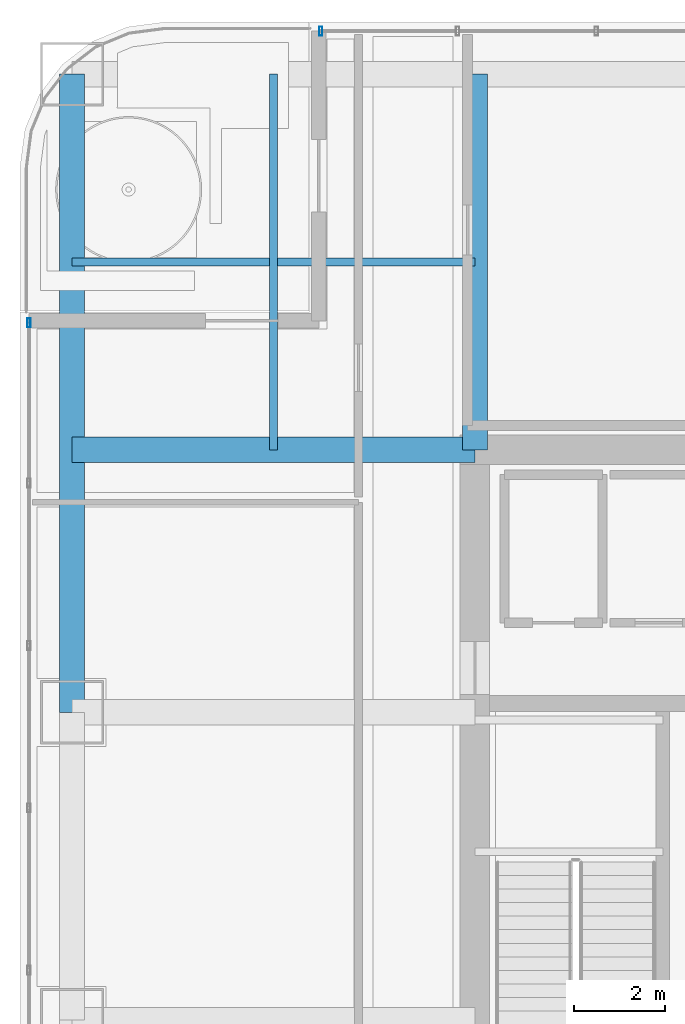
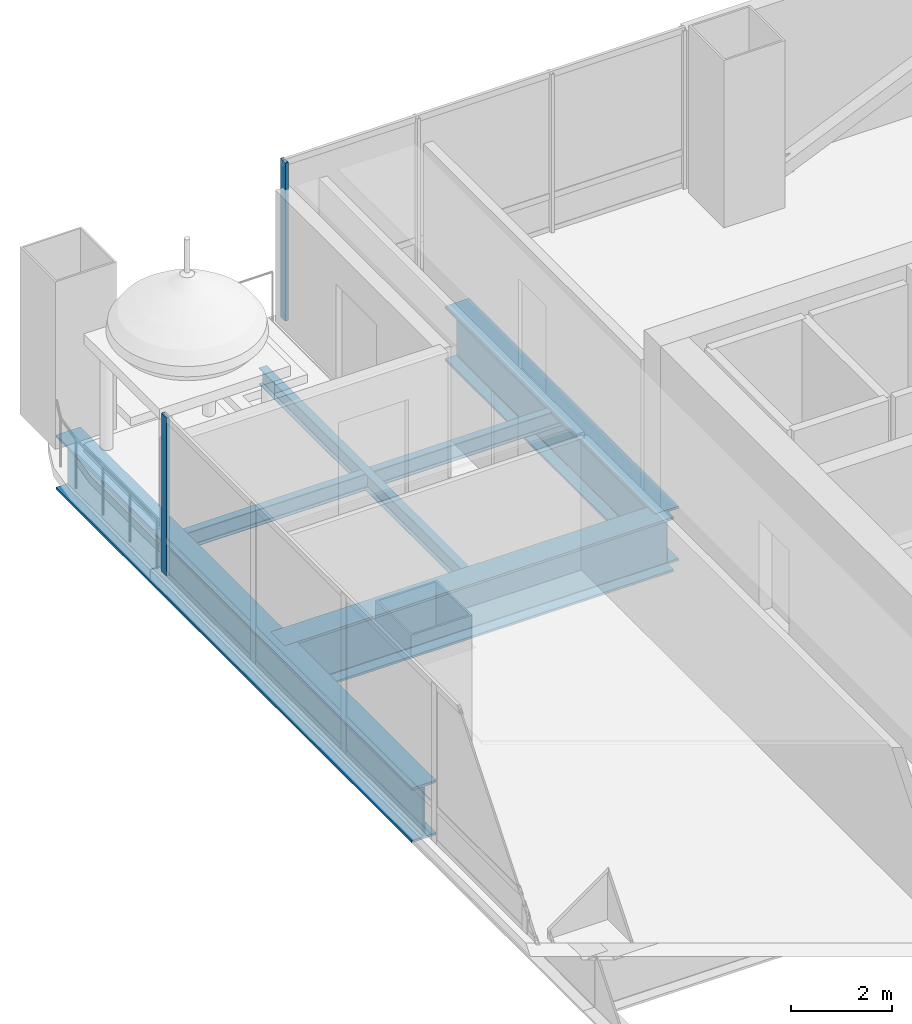
# One storey, part 19 of 41: 5 beams, 2 members, 2 elements without a shape of their own.
"""IFC4 building model written with IfcOpenShell, lengths in metres."""

from ifc_helpers import new_model, si_unit, direction, frame, origin, origin_2d, place, context, subcontext, project, spatial, hollow_rectangle, i_section, extrude, material, material_profile, profile_set, type_object, element, aggregate, save


model = new_model("IFC4")

# Units and contexts
model_context = context("Model", 3, precision=1e-05, world=origin(), true_north=direction((0.0, 1.0)))
body_context = subcontext(model_context, "Body", "Model", "MODEL_VIEW")
ifc_project = project(units=[si_unit("LENGTHUNIT", "METRE"), si_unit("AREAUNIT", "SQUARE_METRE"), si_unit("VOLUMEUNIT", "CUBIC_METRE"), si_unit("PLANEANGLEUNIT", "RADIAN"), si_unit("MASSUNIT", "GRAM", prefix="KILO")], contexts=[model_context])

# Site, building, storey
site_placement = place(None, origin())
site = spatial("IfcSite", under=ifc_project, at=site_placement, CompositionType="ELEMENT")
building_placement = place(site_placement, origin())
building = spatial("IfcBuilding", under=site, at=building_placement, Name="Punatoya Terracotta Tower", CompositionType="ELEMENT")
storey_placement = place(building_placement, frame((0.0, 0.0, 220.800048828125)))
storey = spatial("IfcBuildingStorey", under=building, at=storey_placement, Name="L52", CompositionType="ELEMENT", Elevation=220.800048828125)

# Beams
ifc_material_1 = material(Name="Steel S355", Category="steel")
ifc_material_profile_1 = material_profile(ifc_material_1, i_section(OverallWidth=0.179931640625, OverallDepth=0.39990234375, WebThickness=0.008544921875, FlangeThickness=0.013427734375, FilletRadius=0.01806640625, at=origin_2d()))
ifc_profile_set_1 = profile_set([ifc_material_profile_1], Name="Steel S355")
beam_type_1 = type_object("IfcBeamType", Name="BM-SEC-400", PredefinedType="JOIST", material=ifc_profile_set_1)
beam_1_placement = place(storey_placement, frame((-19.10009765625, 13.35009765625, -0.420166015625), z_axis=(1.0, 0.0, 0.0), x_axis=(0.0, 1.0, 0.0)))
element("IfcBeam", 1, at=beam_1_placement, inside=storey, type_object=beam_type_1, Name="BM-L52-SJN-1", PredefinedType="JOIST", context=body_context, shape_type="SweptSolid", body=[
    extrude(i_section(OverallWidth=0.179931640625, OverallDepth=0.39990234375, WebThickness=0.008544921875, FlangeThickness=0.013427734375, FilletRadius=0.01806640625, at=origin_2d()), origin(), (0.0, 0.0, 1.0), 8.900146484375),
])
beam_2_placement = place(storey_placement, frame((-14.64990234375, 9.199951171875, -0.420166015625), z_axis=(0.0, 1.0, 0.0), x_axis=(-1.0, 0.0, 0.0)))
element("IfcBeam", 2, at=beam_2_placement, inside=storey, type_object=beam_type_1, Name="BM-L52-SJW-2", PredefinedType="JOIST", context=body_context, shape_type="SweptSolid", body=[
    extrude(i_section(OverallWidth=0.179931640625, OverallDepth=0.39990234375, WebThickness=0.008544921875, FlangeThickness=0.013427734375, FilletRadius=0.01806640625, at=origin_2d()), origin(), (0.0, 0.0, 1.0), 8.300048828125),
])
ifc_material_2 = material(Name="Steel S460", Category="steel")
ifc_material_profile_2 = material_profile(ifc_material_2, i_section(OverallWidth=0.56005859375, OverallDepth=1.320068359375, WebThickness=0.035888671875, FlangeThickness=0.054931640625, FilletRadius=0.01806640625, at=origin_2d()))
ifc_profile_set_2 = profile_set([ifc_material_profile_2], Name="Steel S460")
beam_type_2 = type_object("IfcBeamType", Name="BM-TG-BLK", PredefinedType="BEAM", material=ifc_profile_set_2)
beam_3_placement = place(storey_placement, frame((-19.10009765625, 3.39990234375, -0.880126953125), z_axis=(0.0, 1.0, 0.0), x_axis=(-1.0, 0.0, 0.0)))
element("IfcBeam", 3, at=beam_3_placement, inside=storey, type_object=beam_type_2, Name="BM-L52-RG-W3", PredefinedType="BEAM", context=body_context, shape_type="SweptSolid", body=[
    extrude(i_section(OverallWidth=0.56005859375, OverallDepth=1.320068359375, WebThickness=0.035888671875, FlangeThickness=0.054931640625, FilletRadius=0.01806640625, at=origin_2d()), origin(), (0.0, 0.0, 1.0), 14.10009765625),
])
beam_4_placement = place(storey_placement, frame((-19.10009765625, 9.199951171875, -0.880126953125), z_axis=(1.0, 0.0, 0.0), x_axis=(0.0, 1.0, 0.0)))
element("IfcBeam", 4, at=beam_4_placement, inside=storey, type_object=beam_type_2, Name="BM-L52-PR-WN", PredefinedType="BEAM", context=body_context, shape_type="SweptSolid", body=[
    extrude(i_section(OverallWidth=0.56005859375, OverallDepth=1.320068359375, WebThickness=0.035888671875, FlangeThickness=0.054931640625, FilletRadius=0.01806640625, at=origin_2d()), origin(), (0.0, 0.0, 1.0), 8.900146484375),
])
beam_5_placement = place(storey_placement, frame((-10.199951171875, 9.199951171875, -0.880126953125), z_axis=(0.0, 1.0, 0.0), x_axis=(-1.0, 0.0, 0.0)))
element("IfcBeam", 5, at=beam_5_placement, inside=storey, type_object=beam_type_2, Name="BM-L52-PR-N1", PredefinedType="BEAM", context=body_context, shape_type="SweptSolid", body=[
    extrude(i_section(OverallWidth=0.56005859375, OverallDepth=1.320068359375, WebThickness=0.035888671875, FlangeThickness=0.054931640625, FilletRadius=0.01806640625, at=origin_2d()), origin(), (0.0, 0.0, 1.0), 8.300048828125),
])

# Curtain wall, member
ifc_material_3 = material(Name="Aluminium 6063-T6 + Double Low-E Glass", Category="aluminium")
curtain_wall_type = type_object("IfcCurtainWallType", Name="CW-M2", PredefinedType="NOTDEFINED", material=ifc_material_3)
curtain_wall_1_placement = place(storey_placement, origin())
curtain_wall_1 = element("IfcCurtainWall", 6, at=curtain_wall_1_placement, inside=storey, type_object=curtain_wall_type, Name="L52 Curtain Wall CW-L52-N08-2", PredefinedType="NOTDEFINED")
ifc_material_4 = material(Name="Aluminium 6063-T6", Category="aluminium")
ifc_material_profile_3 = material_profile(ifc_material_4, hollow_rectangle(XDim=0.072021484375, YDim=0.195068359375, WallThickness=0.00439453125, at=origin_2d()))
ifc_profile_set_3 = profile_set([ifc_material_profile_3], Name="Aluminium 6063-T6")
member_type = type_object("IfcMemberType", Name="CW-MUL-M2", PredefinedType="MULLION", material=ifc_profile_set_3)
member_1_placement = place(storey_placement, frame((-13.60498046875, 18.449951171875, 0.0), z_axis=(0.0, 0.0, 1.0), x_axis=(1.0, 0.0, 0.0)))
member_1 = element("IfcMember", 7, at=member_1_placement, type_object=member_type, Name="CW-L52-N08-2 Mullion 03", PredefinedType="MULLION", context=body_context, shape_type="SweptSolid", body=[
    extrude(hollow_rectangle(XDim=0.072021484375, YDim=0.195068359375, WallThickness=0.00439453125, at=origin_2d()), origin(), (0.0, 0.0, 1.0), 3.829833984375),
])
aggregate(curtain_wall_1, [member_1])

curtain_wall_2_placement = place(storey_placement, origin())
curtain_wall_2 = element("IfcCurtainWall", 8, at=curtain_wall_2_placement, inside=storey, type_object=curtain_wall_type, Name="L52 Curtain Wall CW-L52-W11-1", PredefinedType="NOTDEFINED")
member_2_placement = place(storey_placement, frame((-20.050048828125, 12.0048828125, 0.0), z_axis=(0.0, 0.0, 1.0), x_axis=(1.0, 0.0, 0.0)))
member_2 = element("IfcMember", 9, at=member_2_placement, type_object=member_type, Name="CW-L52-W11-1 Mullion 00", PredefinedType="MULLION", context=body_context, shape_type="SweptSolid", body=[
    extrude(hollow_rectangle(XDim=0.072021484375, YDim=0.195068359375, WallThickness=0.00439453125, at=origin_2d()), origin(), (0.0, 0.0, 1.0), 3.829833984375),
])
aggregate(curtain_wall_2, [member_2])

save(model, "model.ifc")
